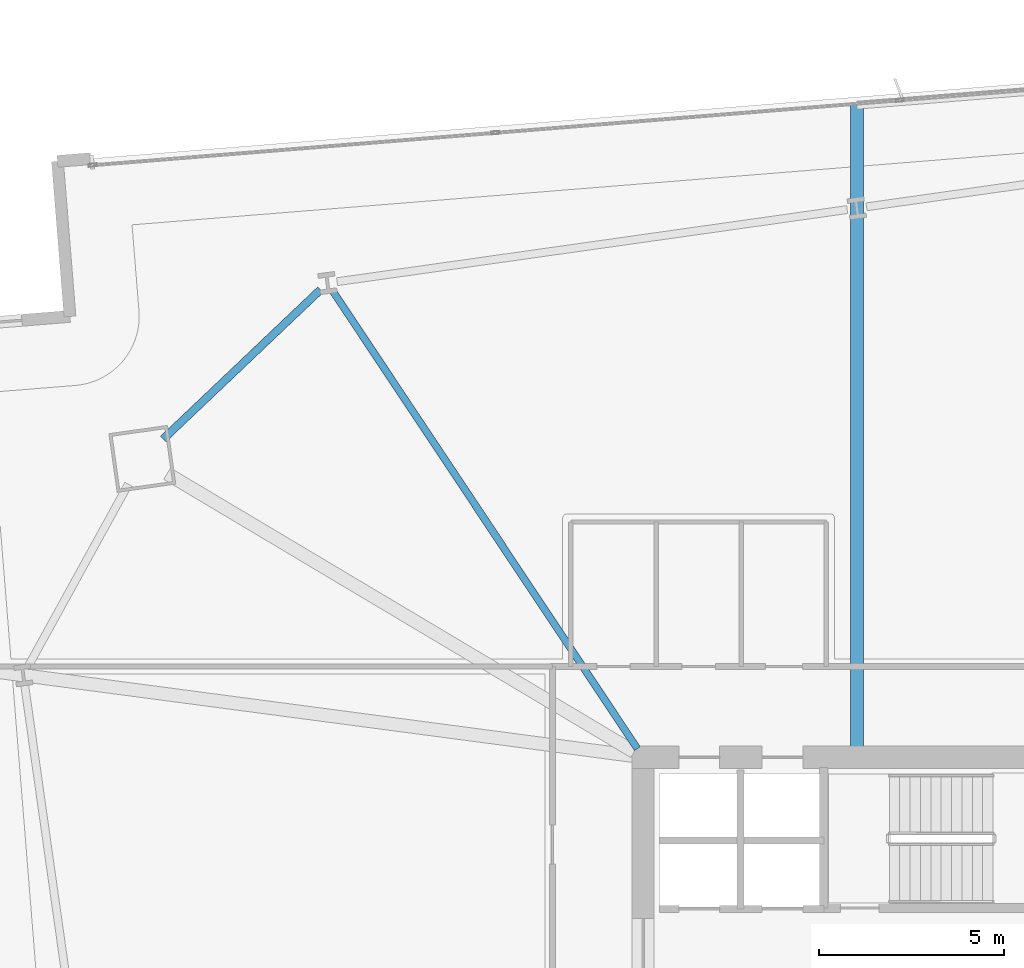
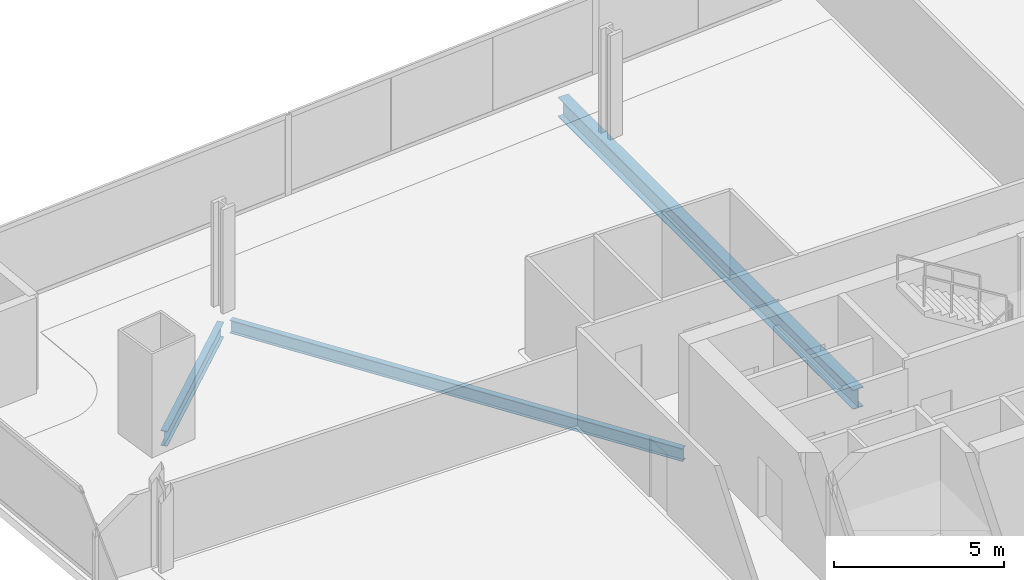
# One storey, part 17 of 33: 3 beams.
"""IFC4 building model written with IfcOpenShell, lengths in metres."""

from ifc_helpers import new_model, si_unit, direction, frame, origin, origin_2d, place, context, subcontext, project, spatial, i_section, extrude, material, material_profile, profile_set, type_object, element, save


model = new_model("IFC4")

# Units and contexts
model_context = context("Model", 3, precision=1e-05, world=origin(), true_north=direction((0.0, 1.0)))
body_context = subcontext(model_context, "Body", "Model", "MODEL_VIEW")
ifc_project = project(units=[si_unit("LENGTHUNIT", "METRE"), si_unit("AREAUNIT", "SQUARE_METRE"), si_unit("VOLUMEUNIT", "CUBIC_METRE"), si_unit("PLANEANGLEUNIT", "RADIAN"), si_unit("MASSUNIT", "GRAM", prefix="KILO")], contexts=[model_context])

# Site, building, storey
site_placement = place(None, origin())
site = spatial("IfcSite", under=ifc_project, at=site_placement, CompositionType="ELEMENT")
building_placement = place(site_placement, origin())
building = spatial("IfcBuilding", under=site, at=building_placement, Name="Haldenkirk Collegiate Tower", CompositionType="ELEMENT")
storey_placement = place(building_placement, frame((0.0, 0.0, 43.949951171875)))
storey = spatial("IfcBuildingStorey", under=building, at=storey_placement, Name="L09", CompositionType="ELEMENT", Elevation=43.949951171875)

# Beams
ifc_material = material(Name="Steel ASTM A992 Grade 50", Category="steel")
ifc_material_profile_1 = material_profile(ifc_material, i_section(OverallWidth=0.35498046875, OverallDepth=0.696044921875, WebThickness=0.015380859375, FlangeThickness=0.02490234375, at=origin_2d()), Name="W27X146")
ifc_profile_set_1 = profile_set([ifc_material_profile_1], Name="Steel ASTM A992 Grade 50")
beam_type_1 = type_object("IfcBeamType", Name="BM-GIRDER-W27X146", PredefinedType="BEAM", material=ifc_profile_set_1)
beam_1_placement = place(storey_placement, frame((32.772216796875, 51.603515625, -0.657958984375), z_axis=(0.0, -1.0, 0.0), x_axis=(1.0, 0.0, 0.0)))
element("IfcBeam", 1, at=beam_1_placement, inside=storey, type_object=beam_type_1, Name="L09 primary floor girder 12", PredefinedType="BEAM", context=body_context, shape_type="SweptSolid", body=[
    extrude(i_section(OverallWidth=0.35498046875, OverallDepth=0.696044921875, WebThickness=0.015380859375, FlangeThickness=0.02490234375, at=origin_2d()), origin(), (0.0, 0.0, 1.0), 17.323486328125),
])
ifc_material_profile_2 = material_profile(ifc_material, i_section(OverallWidth=0.19189453125, OverallDepth=0.462890625, WebThickness=0.010498046875, FlangeThickness=0.017578125, at=origin_2d()), Name="W18X60")
ifc_profile_set_2 = profile_set([ifc_material_profile_2], Name="Steel ASTM A992 Grade 50")
beam_type_2 = type_object("IfcBeamType", Name="BM-JOIST-W18X60", PredefinedType="JOIST", material=ifc_profile_set_2)
beam_2_placement = place(storey_placement, frame((18.625, 46.5810546875, -0.54150390625), z_axis=(0.554130343162, -0.83242991464, 0.0), x_axis=(0.83242991464, 0.554130343162, 0.0)))
element("IfcBeam", 2, at=beam_2_placement, inside=storey, type_object=beam_type_2, Name="L09 composite floor joist 13", PredefinedType="JOIST", context=body_context, shape_type="SweptSolid", body=[
    extrude(i_section(OverallWidth=0.19189453125, OverallDepth=0.462890625, WebThickness=0.010498046875, FlangeThickness=0.017578125, at=origin_2d()), origin(), (0.0, 0.0, 1.0), 14.83349609375),
])
ifc_material_profile_3 = material_profile(ifc_material, i_section(OverallWidth=0.2119140625, OverallDepth=0.5439453125, WebThickness=0.01318359375, FlangeThickness=0.021240234375, at=origin_2d()), Name="W21X83")
ifc_profile_set_3 = profile_set([ifc_material_profile_3], Name="Steel ASTM A992 Grade 50")
beam_type_3 = type_object("IfcBeamType", Name="BM-SPANDREL-W21X83", PredefinedType="SPANDREL", material=ifc_profile_set_3)
beam_3_placement = place(storey_placement, frame((18.28662109375, 46.619140625, -0.58203125), z_axis=(-0.725132817178, -0.688609030911, 0.0), x_axis=(0.688609030911, -0.725132817178, 0.0)))
element("IfcBeam", 3, at=beam_3_placement, inside=storey, type_object=beam_type_3, Name="L09 perimeter spandrel beam 12", PredefinedType="SPANDREL", context=body_context, shape_type="SweptSolid", body=[
    extrude(i_section(OverallWidth=0.2119140625, OverallDepth=0.5439453125, WebThickness=0.01318359375, FlangeThickness=0.021240234375, at=origin_2d()), origin(), (0.0, 0.0, 1.0), 5.848876953125),
])

save(model, "model.ifc")
